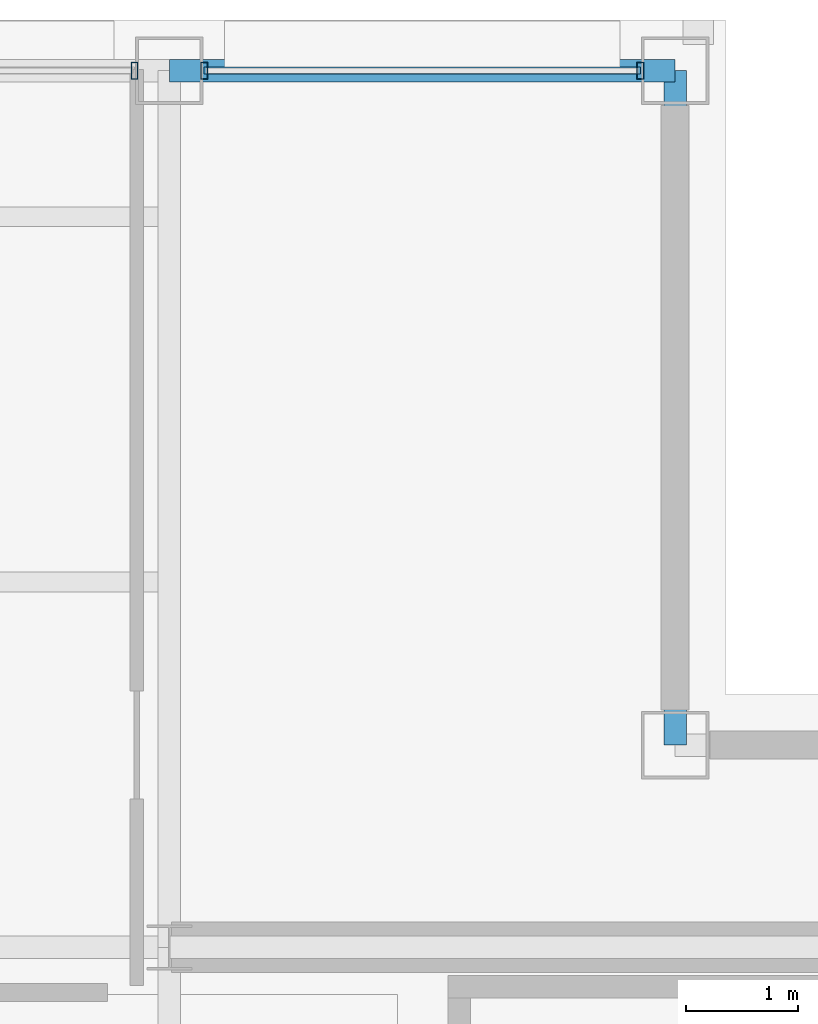
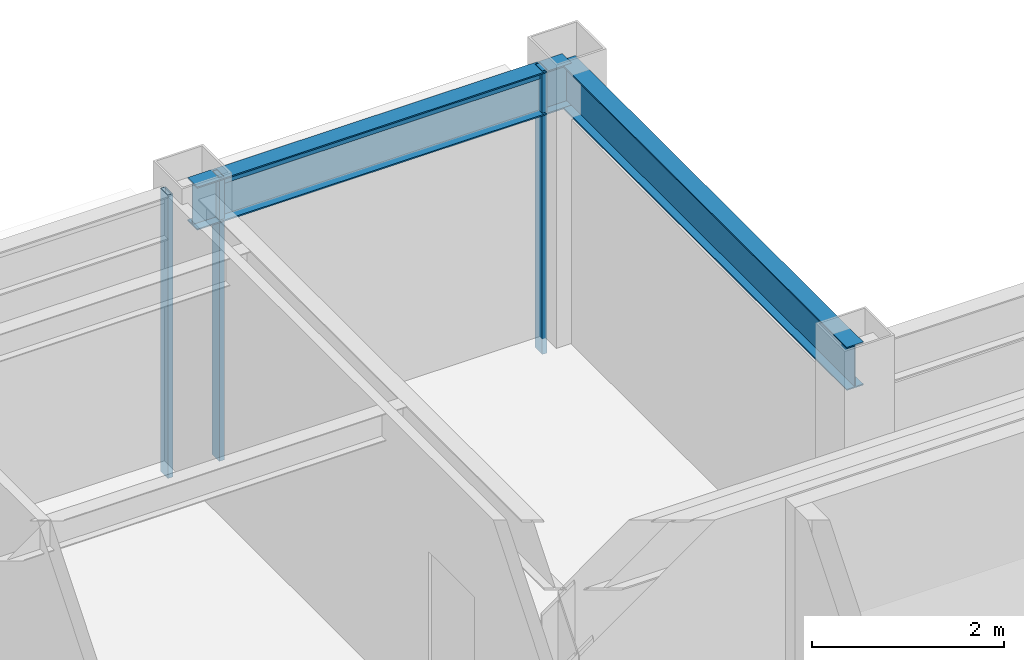
# One storey, part 18 of 24: 4 members, 2 beams, 2 elements without a shape of their own.
"""IFC4 building model written with IfcOpenShell, lengths in metres."""

from ifc_helpers import new_model, si_unit, direction, frame, origin, origin_2d, place, context, subcontext, project, spatial, hollow_rectangle, i_section, extrude, material, layer, layer_set, material_profile, profile_set, type_object, element, aggregate, save


model = new_model("IFC4")

# Units and contexts
model_context = context("Model", 3, precision=1e-05, world=origin(), true_north=direction((0.0, 1.0)))
body_context = subcontext(model_context, "Body", "Model", "MODEL_VIEW")
ifc_project = project(units=[si_unit("LENGTHUNIT", "METRE"), si_unit("AREAUNIT", "SQUARE_METRE"), si_unit("VOLUMEUNIT", "CUBIC_METRE"), si_unit("PLANEANGLEUNIT", "RADIAN"), si_unit("MASSUNIT", "GRAM", prefix="KILO")], contexts=[model_context])

# Site, building, storey
site_placement = place(None, origin())
site = spatial("IfcSite", under=ifc_project, at=site_placement, CompositionType="ELEMENT")
building_placement = place(site_placement, origin())
building = spatial("IfcBuilding", under=site, at=building_placement, Name="Brelmoor Portico Tower", CompositionType="ELEMENT")
storey_placement = place(building_placement, frame((0.0, 0.0, 261.60009765625)))
storey = spatial("IfcBuildingStorey", under=building, at=storey_placement, Name="L69", CompositionType="ELEMENT", Elevation=261.60009765625)

# Beams
ifc_material_1 = material(Name="Steel Q355B", Category="steel")
ifc_material_profile_1 = material_profile(ifc_material_1, i_section(OverallWidth=0.199951171875, OverallDepth=0.550048828125, WebThickness=0.010009765625, FlangeThickness=0.01611328125, at=origin_2d()), Name="HN 550x200x10x16")
ifc_profile_set_1 = profile_set([ifc_material_profile_1], Name="Steel Q355B")
beam_type = type_object("IfcBeamType", Name="BM-SP-550", PredefinedType="SPANDREL", material=ifc_profile_set_1)
beam_1_placement = place(storey_placement, frame((8.050048828125, 17.550048828125, 3.125), z_axis=(1.0, 0.0, 0.0), x_axis=(0.0, 1.0, 0.0)))
element("IfcBeam", 1, at=beam_1_placement, inside=storey, type_object=beam_type, Name="L69 Perimeter Spandrel Beam SP-10", PredefinedType="SPANDREL", context=body_context, shape_type="SweptSolid", body=[
    extrude(i_section(OverallWidth=0.199951171875, OverallDepth=0.550048828125, WebThickness=0.010009765625, FlangeThickness=0.01611328125, at=origin_2d()), origin(), (0.0, 0.0, 1.0), 4.5),
])
beam_2_placement = place(storey_placement, frame((12.550048828125, 11.550048828125, 3.125), z_axis=(0.0, 1.0, 0.0), x_axis=(-1.0, 0.0, 0.0)))
element("IfcBeam", 2, at=beam_2_placement, inside=storey, type_object=beam_type, Name="L69 Perimeter Spandrel Beam SP-17", PredefinedType="SPANDREL", context=body_context, shape_type="SweptSolid", body=[
    extrude(i_section(OverallWidth=0.199951171875, OverallDepth=0.550048828125, WebThickness=0.010009765625, FlangeThickness=0.01611328125, at=origin_2d()), origin(), (0.0, 0.0, 1.0), 6.0),
])

# Curtain wall, member
ifc_material_2 = material(Name="Anodised Aluminium Alloy 6063-T6", Category="aluminium")
ifc_layer = layer(ifc_material_2, 0.179931640625)
ifc_layer_set = layer_set([ifc_layer], Name="Anodised Aluminium Alloy 6063-T6")
curtain_wall_type = type_object("IfcCurtainWallType", Name="CW-TOWER-Z4-XB", PredefinedType="NOTDEFINED", material=ifc_layer_set)
curtain_wall_1_placement = place(storey_placement, origin())
curtain_wall_1 = element("IfcCurtainWall", 3, at=curtain_wall_1_placement, inside=storey, type_object=curtain_wall_type, Name="L69 Curtain Wall CW-L69-02-2", PredefinedType="NOTDEFINED")
ifc_material_profile_2 = material_profile(ifc_material_2, hollow_rectangle(XDim=0.06005859375, YDim=0.14990234375, WallThickness=0.00390625, at=origin_2d()), Name="ALU MULLION 60x150")
ifc_profile_set_2 = profile_set([ifc_material_profile_2], Name="Anodised Aluminium Alloy 6063-T6")
member_type_1 = type_object("IfcMemberType", Name="MB-CW-MULL-150", PredefinedType="MULLION", material=ifc_profile_set_2)
member_1_placement = place(storey_placement, frame((7.739990234375, 17.550048828125, -0.2001953125), z_axis=(0.0, 0.0, 1.0), x_axis=(1.0, 0.0, 0.0)))
member_1 = element("IfcMember", 4, at=member_1_placement, type_object=member_type_1, Name="CW-L69-02-2 Mullion 01", PredefinedType="MULLION", context=body_context, shape_type="SweptSolid", body=[
    extrude(hollow_rectangle(XDim=0.06005859375, YDim=0.14990234375, WallThickness=0.00390625, at=origin_2d()), origin(), (0.0, 0.0, 1.0), 3.60009765625),
])
aggregate(curtain_wall_1, [member_1])

# Curtain wall, members
curtain_wall_2_placement = place(storey_placement, origin())
curtain_wall_2 = element("IfcCurtainWall", 5, at=curtain_wall_2_placement, inside=storey, type_object=curtain_wall_type, Name="L69 Curtain Wall CW-L69-02-3", PredefinedType="NOTDEFINED")
member_2_placement = place(storey_placement, frame((8.360107421875, 17.550048828125, -0.2001953125), z_axis=(0.0, 0.0, 1.0), x_axis=(1.0, 0.0, 0.0)))
member_2 = element("IfcMember", 6, at=member_2_placement, type_object=member_type_1, Name="CW-L69-02-3 Mullion 00", PredefinedType="MULLION", context=body_context, shape_type="SweptSolid", body=[
    extrude(hollow_rectangle(XDim=0.06005859375, YDim=0.14990234375, WallThickness=0.00390625, at=origin_2d()), origin(), (0.0, 0.0, 1.0), 3.60009765625),
])
member_3_placement = place(storey_placement, frame((12.239990234375, 17.550048828125, -0.2001953125), z_axis=(0.0, 0.0, 1.0), x_axis=(1.0, 0.0, 0.0)))
member_3 = element("IfcMember", 7, at=member_3_placement, type_object=member_type_1, Name="CW-L69-02-3 Mullion 01", PredefinedType="MULLION", context=body_context, shape_type="SweptSolid", body=[
    extrude(hollow_rectangle(XDim=0.06005859375, YDim=0.14990234375, WallThickness=0.00390625, at=origin_2d()), origin(), (0.0, 0.0, 1.0), 3.60009765625),
])
ifc_material_profile_3 = material_profile(ifc_material_2, hollow_rectangle(XDim=0.06005859375, YDim=0.125, WallThickness=0.00341796875, at=origin_2d()), Name="ALU TRANSOM 60x125")
ifc_profile_set_3 = profile_set([ifc_material_profile_3], Name="Anodised Aluminium Alloy 6063-T6")
member_type_2 = type_object("IfcMemberType", Name="MB-CW-TRAN-125", PredefinedType="USERDEFINED", material=ifc_profile_set_3)
member_4_placement = place(storey_placement, frame((8.360107421875, 17.550048828125, 3.33740234375), z_axis=(1.0, 0.0, 0.0), x_axis=(0.0, 1.0, 0.0)))
member_4 = element("IfcMember", 8, at=member_4_placement, type_object=member_type_2, Name="CW-L69-02-3 Transom 1-00", ObjectType="TRANSOM", PredefinedType="USERDEFINED", context=body_context, shape_type="SweptSolid", body=[
    extrude(hollow_rectangle(XDim=0.06005859375, YDim=0.125, WallThickness=0.00341796875, at=origin_2d()), origin(), (0.0, 0.0, 1.0), 3.8798828125),
])
aggregate(curtain_wall_2, [member_2, member_3, member_4])

save(model, "model.ifc")
